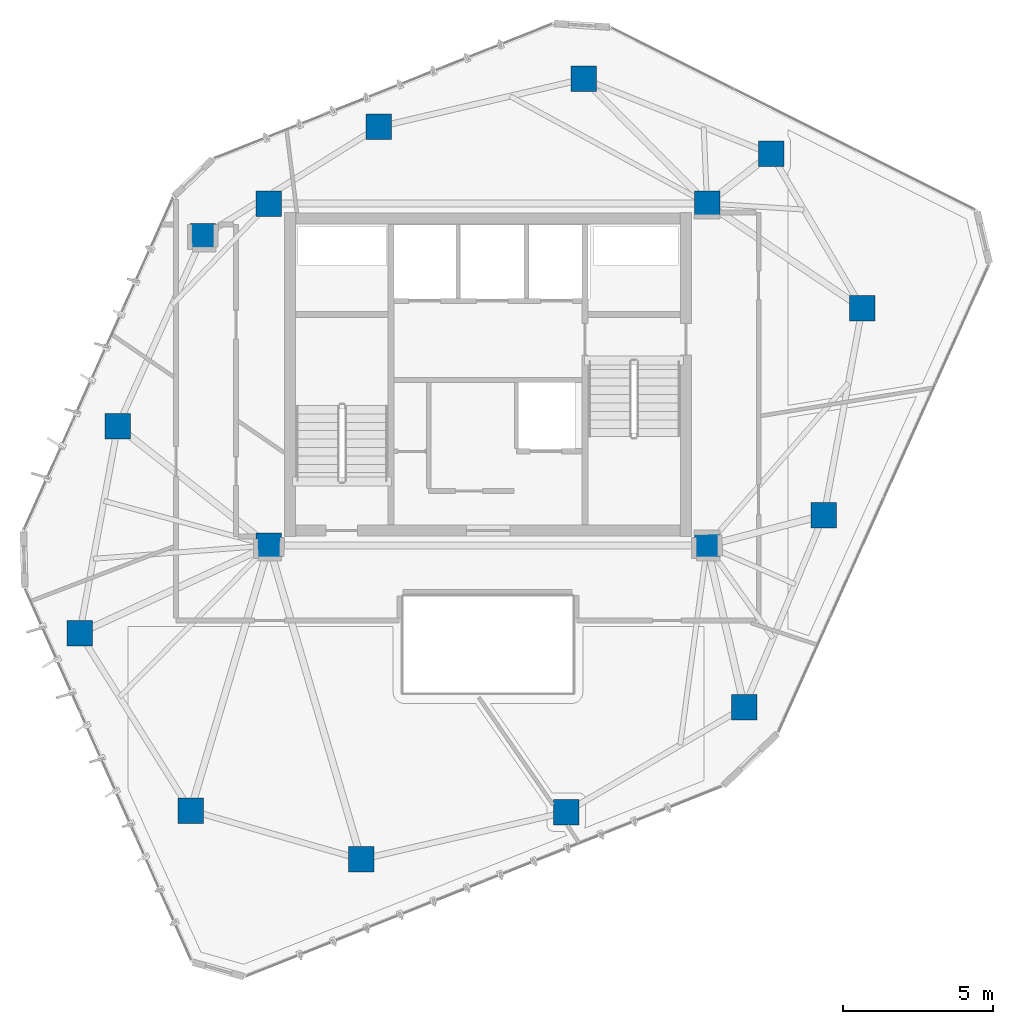
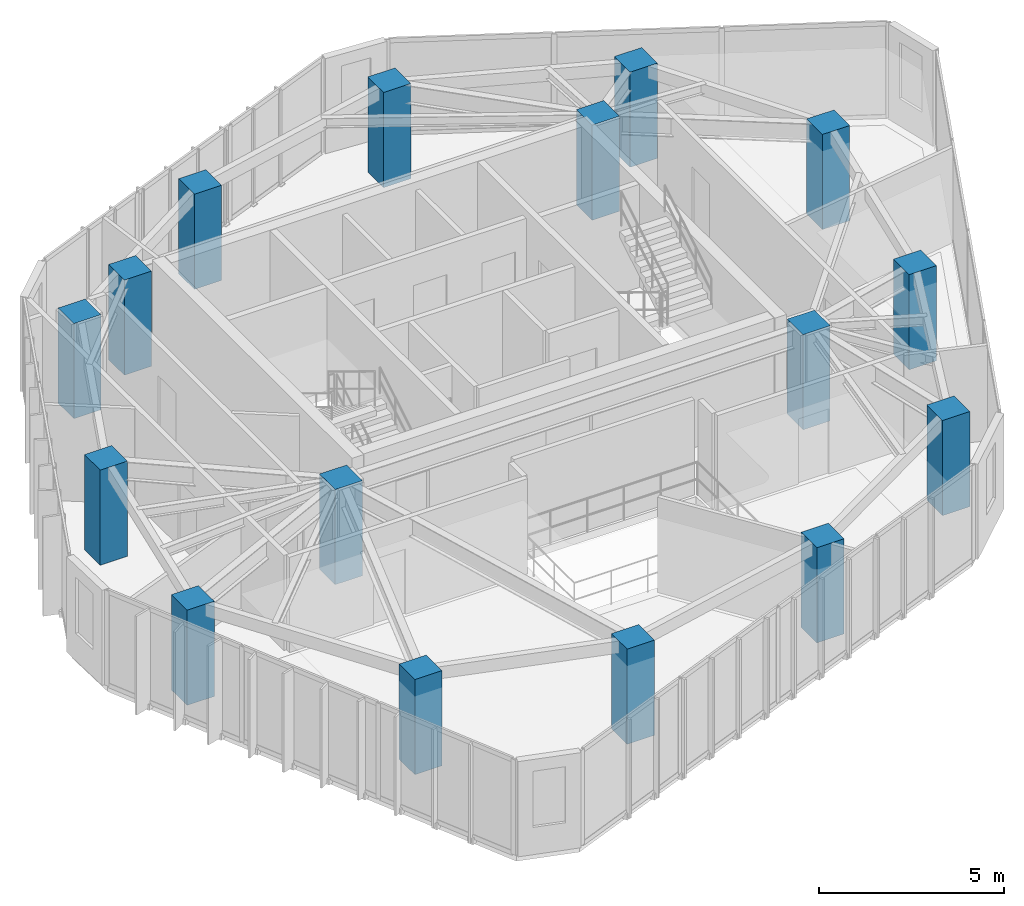
# One storey, part 1 of 20: 16 columns.
"""IFC4 building model written with IfcOpenShell, lengths in metres."""

from ifc_helpers import new_model, si_unit, direction, frame, origin, origin_2d, place, context, subcontext, project, spatial, rectangle, extrude, material, material_profile, profile_set, type_object, element, save


model = new_model("IFC4")

# Units and contexts
model_context = context("Model", 3, precision=1e-05, world=origin(), true_north=direction((0.0, 1.0)))
body_context = subcontext(model_context, "Body", "Model", "MODEL_VIEW")
ifc_project = project(units=[si_unit("LENGTHUNIT", "METRE"), si_unit("AREAUNIT", "SQUARE_METRE"), si_unit("VOLUMEUNIT", "CUBIC_METRE"), si_unit("PLANEANGLEUNIT", "RADIAN"), si_unit("MASSUNIT", "GRAM", prefix="KILO")], contexts=[model_context])

# Site, building, storey
site_placement = place(None, origin())
site = spatial("IfcSite", under=ifc_project, at=site_placement, CompositionType="ELEMENT")
building_placement = place(site_placement, origin())
building = spatial("IfcBuilding", under=site, at=building_placement, Name="Talar Marvaseh", CompositionType="ELEMENT")
storey_placement = place(building_placement, frame((0.0, 0.0, 278.199951171875)))
storey = spatial("IfcBuildingStorey", under=building, at=storey_placement, Name="L74", CompositionType="ELEMENT", Elevation=278.199951171875)

# Columns
ifc_material = material(Name="Concrete C50/60", Category="concrete")
ifc_material_profile = material_profile(ifc_material, rectangle(XDim=0.85009765625, YDim=0.85009765625, at=origin_2d()), Name="RC850x850")
ifc_profile_set = profile_set([ifc_material_profile], Name="Concrete C50/60")
column_type = type_object("IfcColumnType", Name="Zone 4 Tube Column RC850x850", PredefinedType="COLUMN", material=ifc_profile_set)
for number, where, z_axis, x_axis, name in (
    (1, (12.388916015625, 22.576904296875, 0.0), (0.0, 0.0, 1.0), (1.0, 0.0, 0.0), "L74 Zone 4 Tube Column RC850x850"),
    (2, (13.657958984375, 29.469970703125, 0.0), (0.0, 0.0, 1.0), (1.0, 0.0, 0.0), "L74 Zone 4 Tube Column RC850x850"),
    (3, (16.493896484375, 35.806884765625, 0.0), (0.0, 0.0, 1.0), (1.0, 0.0, 0.0), "L74 Zone 4 Tube Column RC850x850"),
    (4, (22.364990234375, 39.4541015625, 0.0), (0.0, 0.0, 1.0), (1.0, 0.0, 0.0), "L74 Zone 4 Tube Column RC850x850"),
    (5, (29.18798828125, 41.052001953125, 0.0), (0.0, 0.0, 1.0), (1.0, 0.0, 0.0), "L74 Zone 4 Tube Column RC850x850"),
    (6, (35.43798828125, 38.551025390625, 0.0), (0.0, 0.0, 1.0), (1.0, 0.0, 0.0), "L74 Zone 4 Tube Column RC850x850"),
    (7, (38.470947265625, 33.406005859375, 0.0), (0.0, 0.0, 1.0), (1.0, 0.0, 0.0), "L74 Zone 4 Tube Column RC850x850"),
    (8, (37.197021484375, 26.513916015625, 0.0), (0.0, 0.0, 1.0), (1.0, 0.0, 0.0), "L74 Zone 4 Tube Column RC850x850"),
    (9, (34.5439453125, 20.111083984375, 0.0), (0.0, 0.0, 1.0), (1.0, 0.0, 0.0), "L74 Zone 4 Tube Column RC850x850"),
    (10, (28.60498046875, 16.616943359375, 0.0), (0.0, 0.0, 1.0), (1.0, 0.0, 0.0), "L74 Zone 4 Tube Column RC850x850"),
    (11, (21.77587890625, 15.0400390625, 0.0), (0.0, 0.0, 1.0), (1.0, 0.0, 0.0), "L74 Zone 4 Tube Column RC850x850"),
    (12, (16.0869140625, 16.66796875, 0.0), (0.0, 0.0, 1.0), (1.0, 0.0, 0.0), "L74 Zone 4 Tube Column RC850x850"),
    (13, (18.699951171875, 25.5, 0.0), (0.0, 0.0, 1.0), (1.0, 0.0, 0.0), "L74 Zone 4 Tube Column RC850x850"),
    (14, (33.300048828125, 25.5, 0.0), (0.0, 0.0, 1.0), (1.0, 0.0, 0.0), "L74 Zone 4 Tube Column RC850x850"),
    (15, (33.300048828125, 36.89990234375, 0.0), (0.0, 0.0, 1.0), (1.0, 0.0, 0.0), "L74 Zone 4 Tube Column RC850x850"),
    (16, (18.699951171875, 36.89990234375, 0.0), (0.0, 0.0, 1.0), (1.0, 0.0, 0.0), "L74 Zone 4 Tube Column RC850x850"),
):
    element("IfcColumn", number, at=place(storey_placement, frame(where, z_axis=z_axis, x_axis=x_axis)), inside=storey, type_object=column_type, Name=name, PredefinedType="COLUMN", context=body_context, shape_type="SweptSolid", body=[
        extrude(rectangle(XDim=0.85009765625, YDim=0.85009765625, at=origin_2d()), origin(), (0.0, 0.0, 1.0), 3.14013671875),
    ])

save(model, "model.ifc")
